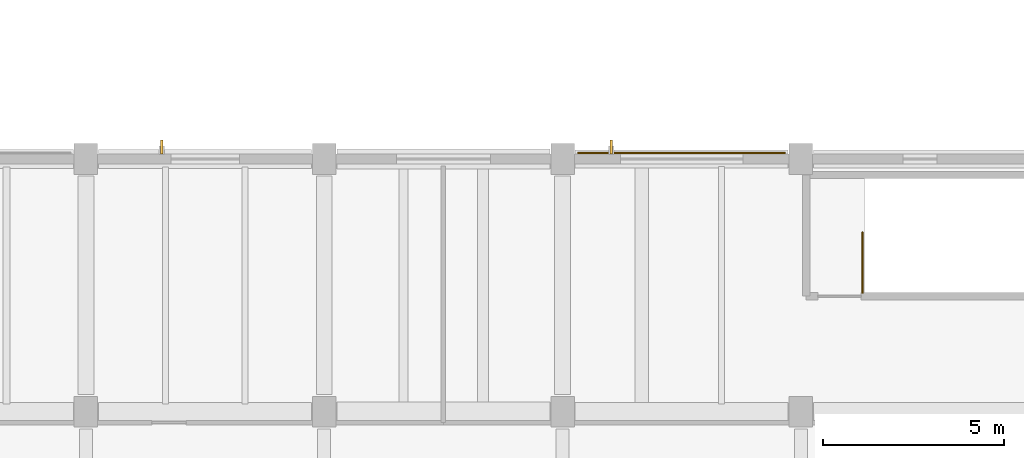
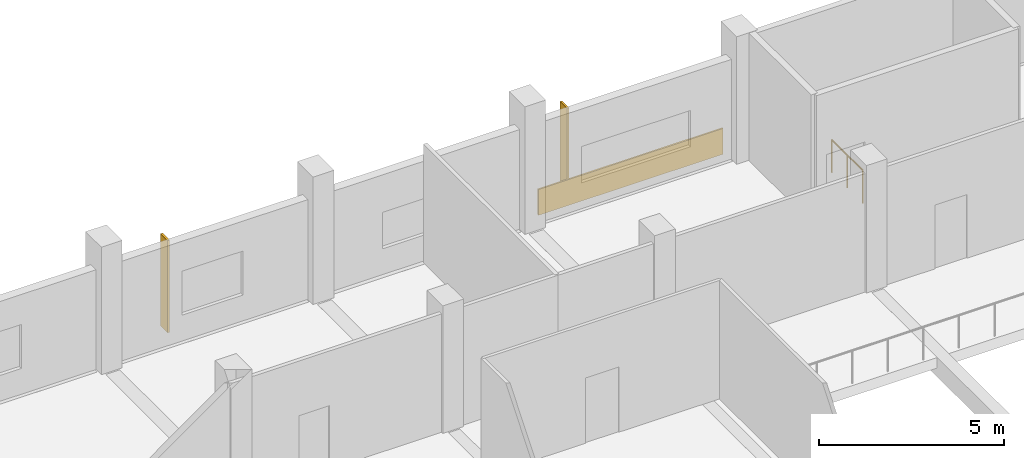
# One storey, part 68 of 68: 2 shading devices, 1 covering, 1 railing.
"""IFC4 building model written with IfcOpenShell, lengths in metres."""

from ifc_helpers import new_model, si_unit, direction, frame, origin, origin_2d, place, context, subcontext, project, spatial, rectangle, circle, extrude, material, layer, layer_set, material_profile, profile_set, type_object, element, save


model = new_model("IFC4")

# Units and contexts
model_context = context("Model", 3, precision=1e-05, world=origin(), true_north=direction((0.0, 1.0)))
body_context = subcontext(model_context, "Body", "Model", "MODEL_VIEW")
ifc_project = project(units=[si_unit("LENGTHUNIT", "METRE"), si_unit("AREAUNIT", "SQUARE_METRE"), si_unit("VOLUMEUNIT", "CUBIC_METRE"), si_unit("PLANEANGLEUNIT", "RADIAN"), si_unit("MASSUNIT", "GRAM", prefix="KILO")], contexts=[model_context])

# Site, building, storey
site_placement = place(None, origin())
site = spatial("IfcSite", under=ifc_project, at=site_placement, CompositionType="ELEMENT")
building_placement = place(site_placement, origin())
building = spatial("IfcBuilding", under=site, at=building_placement, Name="Ciguamira Faculty of Natural Sciences", CompositionType="ELEMENT")
storey_placement = place(building_placement, frame((0.0, 0.0, 4.199951171875)))
storey = spatial("IfcBuildingStorey", under=building, at=storey_placement, Name="L01", CompositionType="ELEMENT", Elevation=4.199951171875)

# Covering
ifc_material_1 = material(Name="Precast concrete C40/50", Category="concrete")
ifc_layer = layer(ifc_material_1, 0.050048828125, Name="Precast concrete C40/50")
ifc_layer_set = layer_set([ifc_layer], Name="Precast concrete C40/50")
covering_type = type_object("IfcCoveringType", Name="Cladding_CL01", PredefinedType="CLADDING", material=ifc_layer_set)
covering_placement = place(storey_placement, frame((153.0, 24.1640625, 0.02490234375), z_axis=(0.0, 0.0, 1.0), x_axis=(1.0, 0.0, 0.0)))
element("IfcCovering", 1, at=covering_placement, inside=storey, type_object=covering_type, Name="L01 precast concrete spandrel cladding 014", PredefinedType="CLADDING", context=body_context, shape_type="SweptSolid", body=[
    extrude(rectangle(XDim=5.75, YDim=0.050048828125, at=origin_2d()), origin(), (0.0, 0.0, 1.0), 0.85009765625),
])

# Railing
ifc_material_2 = material(Name="Stainless steel balustrade", Category="steel")
railing_type = type_object("IfcRailingType", Name="Guardrail_GR01", PredefinedType="GUARDRAIL", material=ifc_material_2)
railing_placement = place(storey_placement, frame((158.010009765625, 20.300048828125, 0.0)))
element("IfcRailing", 2, at=railing_placement, inside=storey, type_object=railing_type, Name="L01 ST-L2 top well guard 1", PredefinedType="GUARDRAIL", context=body_context, shape_type="SweptSolid", body=[
    extrude(circle(Radius=0.02392578125, at=origin_2d()), frame((0.0, 0.0, 1.076171875), z_axis=(0.0, 1.0, 0.0), x_axis=(-1.0, 0.0, 0.0)), (0.0, 0.0, 1.0), 1.659912109375),
    extrude(circle(Radius=0.02099609375, at=origin_2d()), origin(), (0.0, 0.0, 1.0), 1.052001953125),
    extrude(circle(Radius=0.02099609375, at=origin_2d()), frame((0.0, 0.830078125, 0.0)), (0.0, 0.0, 1.0), 1.052001953125),
    extrude(circle(Radius=0.02099609375, at=origin_2d()), frame((0.0, 1.659912109375, 0.0)), (0.0, 0.0, 1.0), 1.052001953125),
])

# Shading devices
ifc_material_3 = material(Name="Anodized bronze sunshade fin")
ifc_material_profile = material_profile(ifc_material_3, rectangle(XDim=0.06494140625, YDim=0.3798828125, at=origin_2d()), Name="BRZ-FIN-65X380")
ifc_profile_set = profile_set([ifc_material_profile], Name="Anodized bronze sunshade fin")
shading_device_type = type_object("IfcShadingDeviceType", Name="SunFin_SF01", PredefinedType="USERDEFINED", material=ifc_profile_set)
for number, where, z_axis, x_axis, name in (
    (3, (138.60009765625, 24.330078125, 0.199951171875), (0.0, 0.0, 1.0), (1.0, 0.0, 0.0), "L01 bronze vertical sunshade fin 0012"),
    (4, (151.050048828125, 24.330078125, 0.199951171875), (0.0, 0.0, 1.0), (1.0, 0.0, 0.0), "L01 bronze vertical sunshade fin 0013"),
):
    element("IfcShadingDevice", number, at=place(storey_placement, frame(where, z_axis=z_axis, x_axis=x_axis)), inside=storey, type_object=shading_device_type, Name=name, ObjectType="SUNSHADE FIN", PredefinedType="USERDEFINED", context=body_context, shape_type="SweptSolid", body=[
        extrude(rectangle(XDim=0.06494140625, YDim=0.3798828125, at=origin_2d()), origin(), (0.0, 0.0, 1.0), 3.03515625),
    ])

save(model, "model.ifc")
